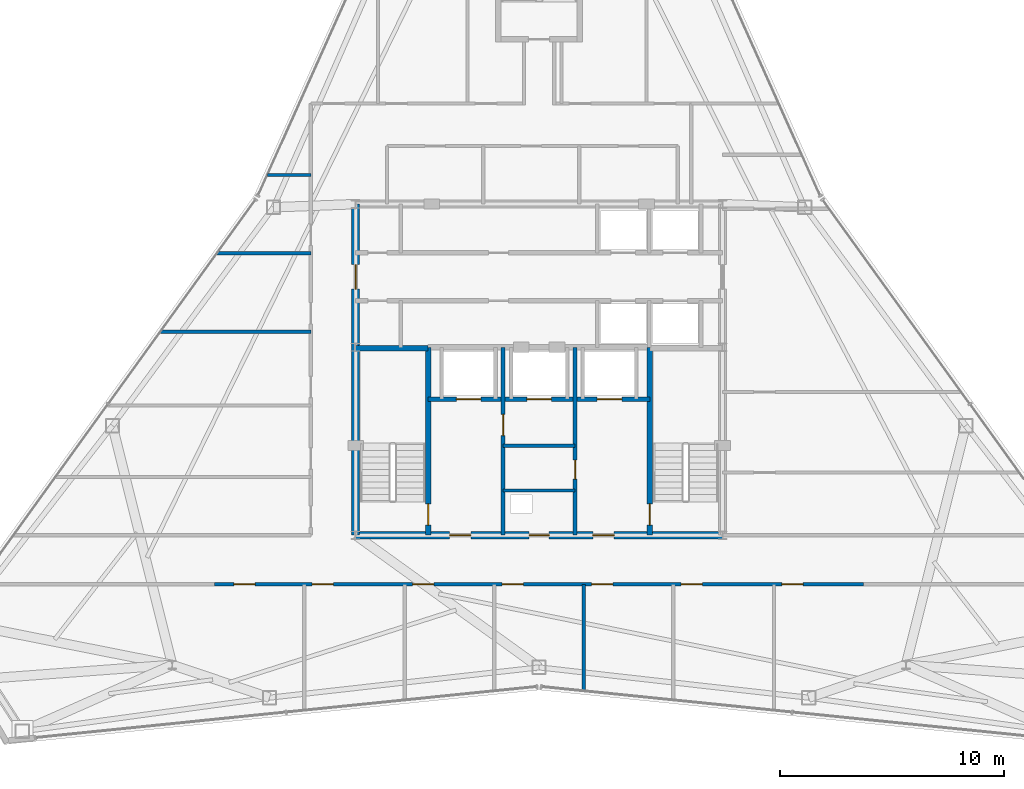
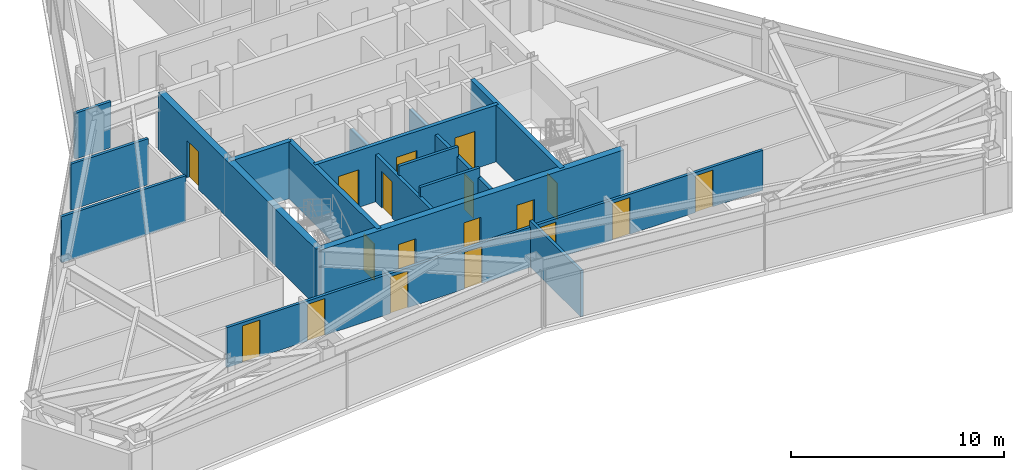
# One storey, part 9 of 12: 18 doors, 15 walls, 18 openings.
"""IFC4 building model written with IfcOpenShell, lengths in metres."""

import ifcopenshell
import ifcopenshell.guid

model = None  # the IFC model being written
_history = None  # IfcOwnerHistory: only IFC2X3 demands one
_inside = {}  # id of a spatial element -> (the spatial element, [elements in it])
_under = {}  # id of a project, library or spatial element -> (it, [spatial elements below it])
_declared = {}  # id of a project -> (the project, [libraries it declares])
_typed = {}  # id of a type object -> (the type object, [elements of that type])
_made_of = {}  # id of a material, layer set ... -> (it, [elements and type objects made of it])


def new_model(schema):
    """Start an empty IFC model of exactly this schema.

    Asked for "IFC4X3", IfcOpenShell would pick the latest addendum, in which some entities
    have other attributes; the version numbers below select the first issue.
    IFC2X3 requires an IfcOwnerHistory on every rooted entity: one is made here for all.
    """
    global model, _history
    if schema == "IFC4X3":
        model = ifcopenshell.file(schema_version=(4, 3, 0, 0))
    else:
        model = ifcopenshell.file(schema=schema)
    _inside.clear()
    _under.clear()
    _declared.clear()
    _typed.clear()
    _made_of.clear()
    _history = None
    if model.schema == "IFC2X3":
        org = make("IfcOrganization", Name="unknown")
        user = make(
            "IfcPersonAndOrganization",
            ThePerson=make("IfcPerson", FamilyName="unknown"),
            TheOrganization=org,
        )
        app = make(
            "IfcApplication",
            ApplicationDeveloper=org,
            Version="unknown",
            ApplicationFullName="unknown",
            ApplicationIdentifier="unknown",
        )
        _history = make(
            "IfcOwnerHistory",
            OwningUser=user,
            OwningApplication=app,
            ChangeAction="ADDED",
            CreationDate=0,
        )
    return model


def make(cls, **values):
    """One entity of the class cls with the attributes given. An attribute that is None is left unset."""
    return model.create_entity(
        cls, **{name: value for name, value in values.items() if value is not None}
    )


def rooted(cls, **values):
    """An entity with a GlobalId (a new one), such as an element, a storey or a relation."""
    return make(cls, GlobalId=ifcopenshell.guid.new(), OwnerHistory=_history, **values)


def si_unit(unit_type, name, prefix=None):
    """IfcSIUnit, for example si_unit("LENGTHUNIT", "METRE", prefix="MILLI")."""
    return make("IfcSIUnit", UnitType=unit_type, Prefix=prefix, Name=name)


def assignment(units):
    """IfcUnitAssignment: the units of a project."""
    return None if units is None else make("IfcUnitAssignment", Units=units)


def point(xyz):
    """IfcCartesianPoint."""
    return None if xyz is None else make("IfcCartesianPoint", Coordinates=xyz)


def direction(xyz):
    """IfcDirection."""
    return None if xyz is None else make("IfcDirection", DirectionRatios=xyz)


def frame(location, z_axis=None, x_axis=None):
    """IfcAxis2Placement3D, a coordinate frame: its origin and axes. An axis left out is left unset."""
    return make(
        "IfcAxis2Placement3D",
        Location=point(location),
        Axis=direction(z_axis),
        RefDirection=direction(x_axis),
    )


def frame_2d(location, x_axis=None):
    """IfcAxis2Placement2D, a coordinate frame in the plane: its origin and x axis."""
    return make(
        "IfcAxis2Placement2D", Location=point(location), RefDirection=direction(x_axis)
    )


def origin():
    """The frame at (0, 0, 0) with its axes left unset."""
    return frame((0.0, 0.0, 0.0))


def place(relative_to, where):
    """IfcLocalPlacement: puts the frame where relative to a parent placement (None: the world)."""
    return make(
        "IfcLocalPlacement", PlacementRelTo=relative_to, RelativePlacement=where
    )


def context(
    kind, dimensions, precision=None, world=None, true_north=None, identifier=None
):
    """IfcGeometricRepresentationContext, for example the 3D "Model" context."""
    return make(
        "IfcGeometricRepresentationContext",
        ContextIdentifier=identifier,
        ContextType=kind,
        CoordinateSpaceDimension=dimensions,
        Precision=precision,
        WorldCoordinateSystem=world,
        TrueNorth=true_north,
    )


def subcontext(parent, identifier, kind, view, scale=None):
    """IfcGeometricRepresentationSubContext, for example "Body" below "Model"."""
    return make(
        "IfcGeometricRepresentationSubContext",
        ContextIdentifier=identifier,
        ContextType=kind,
        ParentContext=parent,
        TargetScale=scale,
        TargetView=view,
    )


def project(units=None, contexts=None):
    """IfcProject with its units and contexts."""
    return rooted(
        "IfcProject",
        Name="project",
        RepresentationContexts=contexts,
        UnitsInContext=assignment(units),
    )


def spatial(cls, under=None, at=None, **own):
    """A site, building, storey or space (cls), placed at a placement, below another one or the project."""
    s = rooted(cls, ObjectPlacement=at, **own)
    if under is not None:
        _under.setdefault(under.id(), (under, []))[1].append(s)
    return s


def profile(cls, at=None, kind="AREA", **sizes):
    """A parametric profile (cls). Its sizes go by their IFC names, for example OverallWidth=200.0."""
    return make(cls, ProfileType=kind, Position=at, **sizes)


def rectangle(**sizes):
    """IfcRectangleProfileDef."""
    return profile("IfcRectangleProfileDef", **sizes)


def extrude(swept, where, along, depth):
    """IfcExtrudedAreaSolid: the profile swept, set in the frame where, extruded along a direction by depth."""
    return make(
        "IfcExtrudedAreaSolid",
        SweptArea=swept,
        Position=where,
        ExtrudedDirection=direction(along),
        Depth=depth,
    )


def shape(context_of_items, identifier, shape_type, items):
    """IfcShapeRepresentation: the items that make up one representation, for example the "Body"."""
    return make(
        "IfcShapeRepresentation",
        ContextOfItems=context_of_items,
        RepresentationIdentifier=identifier,
        RepresentationType=shape_type,
        Items=items,
    )


def material(Name=None, Category=None):
    """IfcMaterial."""
    return make("IfcMaterial", Name=Name, Category=Category)


def layer(
    of_material, thickness, ventilated=None, Name=None, Category=None, Priority=None
):
    """IfcMaterialLayer: one layer of a wall or slab, of a material (None: an air gap)."""
    return make(
        "IfcMaterialLayer",
        Material=of_material,
        LayerThickness=thickness,
        IsVentilated=ventilated,
        Name=Name,
        Category=Category,
        Priority=Priority,
    )


def layer_set(layers, Name=None):
    """IfcMaterialLayerSet."""
    return make("IfcMaterialLayerSet", MaterialLayers=layers, LayerSetName=Name)


def made_of(thing, what):
    """Note that an element or type object is made of a material, layer set ...; save() writes the relation."""
    if what is not None:
        _made_of.setdefault(what.id(), (what, []))[1].append(thing)
    return thing


def type_object(cls, material=None, **own):
    """A type object (cls), such as IfcWallType, which elements share."""
    return made_of(rooted(cls, **own), material)


def element(
    cls,
    number,
    at=None,
    inside=None,
    cuts=None,
    type_object=None,
    material=None,
    context=None,
    identifier="Body",
    shape_type=None,
    held_by="IfcProductDefinitionShape",
    body=None,
    shapes=None,
    **own,
):
    """One element of the class cls, such as IfcWall. Its Tag is "e" and its number.

    at: its placement. inside: the storey or other place that contains it. cuts: it is an
    opening in that element (IfcRelVoidsElement). A single representation is given by context,
    identifier, shape_type and body (its items); several are given by shapes. held_by: the class
    of the entity that holds the representations. save() writes the other relations.
    """
    e = rooted(cls, Tag="e%d" % number, ObjectPlacement=at, **own)
    if body is not None:
        shapes = [shape(context, identifier, shape_type, body)]
    if shapes is not None:
        e.Representation = make(held_by, Representations=shapes)
    if inside is not None:
        _inside.setdefault(inside.id(), (inside, []))[1].append(e)
    if cuts is not None:
        rooted(
            "IfcRelVoidsElement", RelatingBuildingElement=cuts, RelatedOpeningElement=e
        )
    if type_object is not None:
        _typed.setdefault(type_object.id(), (type_object, []))[1].append(e)
    return made_of(e, material)


def fill(opening, filler):
    """IfcRelFillsElement: the door or window that sits in an opening."""
    return rooted(
        "IfcRelFillsElement",
        RelatingOpeningElement=opening,
        RelatedBuildingElement=filler,
    )


def aggregate(whole, parts):
    """IfcRelAggregates: a whole, such as a stair, and the parts it consists of."""
    return rooted("IfcRelAggregates", RelatingObject=whole, RelatedObjects=parts)


def save(model, path):
    """Write the relations noted so far, then the file.

    IfcRelAggregates (storeys below a building ...), IfcRelContainedInSpatialStructure (elements
    in a storey), IfcRelDefinesByType, IfcRelAssociatesMaterial and IfcRelDeclares: one each for
    every whole, place, type object, material and project.
    """
    for whole, parts in _under.values():
        aggregate(whole, parts)
    for where, things in _inside.values():
        rooted(
            "IfcRelContainedInSpatialStructure",
            RelatedElements=things,
            RelatingStructure=where,
        )
    for kind, things in _typed.values():
        rooted("IfcRelDefinesByType", RelatedObjects=things, RelatingType=kind)
    for what, things in _made_of.values():
        rooted("IfcRelAssociatesMaterial", RelatedObjects=things, RelatingMaterial=what)
    for by, libraries in _declared.values():
        rooted("IfcRelDeclares", RelatingContext=by, RelatedDefinitions=libraries)
    model.write(path)


model = new_model("IFC4")

# Units and contexts
model_context = context("Model", 3, precision=1e-05, world=origin(), true_north=direction((0.0, 1.0)))
body_context = subcontext(model_context, "Body", "Model", "MODEL_VIEW")
ifc_project = project(units=[si_unit("LENGTHUNIT", "METRE"), si_unit("AREAUNIT", "SQUARE_METRE"), si_unit("VOLUMEUNIT", "CUBIC_METRE"), si_unit("PLANEANGLEUNIT", "RADIAN"), si_unit("MASSUNIT", "GRAM", prefix="KILO")], contexts=[model_context])

# Site, building, storey
site_placement = place(None, origin())
site = spatial("IfcSite", under=ifc_project, at=site_placement, CompositionType="ELEMENT")
building_placement = place(site_placement, origin())
building = spatial("IfcBuilding", under=site, at=building_placement, Name="Varakhsha Concourse Tower", CompositionType="ELEMENT")
storey_placement = place(building_placement, frame((0.0, 0.0, 258.5)))
storey = spatial("IfcBuildingStorey", under=building, at=storey_placement, Name="L73", CompositionType="ELEMENT", Elevation=258.5)

# Wall, openings, doors
ifc_material_1 = material(Name="Concrete fc 65 MPa", Category="concrete")
ifc_layer_1 = layer(ifc_material_1, 0.35009765625, Name="WL-CORE-350")
ifc_layer_set_1 = layer_set([ifc_layer_1], Name="Concrete fc 65 MPa")
wall_type_1 = type_object("IfcWallType", Name="WL-CORE-350", PredefinedType="SHEAR", material=ifc_layer_set_1)
wall_1_placement = place(storey_placement, frame((31.800048828125, 16.39990234375, 0.0), z_axis=(0.0, 0.0, 1.0), x_axis=(1.0, 0.0, 0.0)))
wall_1 = element("IfcWall", 1, at=wall_1_placement, inside=storey, type_object=wall_type_1, Name="L73 Wall CWALL-S-L73", PredefinedType="SHEAR", context=body_context, shape_type="SweptSolid", body=[
    extrude(rectangle(XDim=16.39990234375, YDim=0.35009765625, at=frame_2d((8.199951171875, 0.0))), origin(), (0.0, 0.0, 1.0), 3.25),
])
opening_1_placement = place(wall_1_placement, frame((7.75, 0.0, 0.0)))
opening_1 = element("IfcOpeningElement", 2, at=opening_1_placement, cuts=wall_1, Name="Opening DF-06", PredefinedType="OPENING", context=body_context, shape_type="SweptSolid", body=[
    extrude(rectangle(XDim=0.89990234375, YDim=2.10009765625, at=frame_2d((0.449951171875, 1.050048828125))), frame((0.0, 0.18505859375, 0.0), z_axis=(0.0, -1.0, 0.0), x_axis=(1.0, 0.0, 0.0)), (0.0, 0.0, 1.0), 0.3701171875),
])
opening_2_placement = place(wall_1_placement, frame((4.199951171875, 0.0, 0.0)))
opening_2 = element("IfcOpeningElement", 3, at=opening_2_placement, cuts=wall_1, Name="Opening DF-05", PredefinedType="OPENING", context=body_context, shape_type="SweptSolid", body=[
    extrude(rectangle(XDim=0.949951171875, YDim=2.10009765625, at=frame_2d((0.47509765625, 1.050048828125))), frame((0.0, 0.18505859375, 0.0), z_axis=(0.0, -1.0, 0.0), x_axis=(1.0, 0.0, 0.0)), (0.0, 0.0, 1.0), 0.3701171875),
])
opening_3_placement = place(wall_1_placement, frame((10.60009765625, 0.0, 0.0)))
opening_3 = element("IfcOpeningElement", 4, at=opening_3_placement, cuts=wall_1, Name="Opening DF-05", PredefinedType="OPENING", context=body_context, shape_type="SweptSolid", body=[
    extrude(rectangle(XDim=0.949951171875, YDim=2.10009765625, at=frame_2d((0.47509765625, 1.050048828125))), frame((0.0, 0.18505859375, 0.0), z_axis=(0.0, -1.0, 0.0), x_axis=(1.0, 0.0, 0.0)), (0.0, 0.0, 1.0), 0.3701171875),
])
ifc_material_2 = material(Name="Hollow Galvanised Steel Fire Door Assembly", Category="steel")
door_type_1 = type_object("IfcDoorType", Name="DR-FD60-900", OperationType="NOTDEFINED", PredefinedType="DOOR", material=ifc_material_2)
door_1_placement = place(opening_1_placement, origin())
door_1 = element("IfcDoor", 5, at=door_1_placement, inside=storey, type_object=door_type_1, Name="L73 Electrical Riser Door", OperationType="SINGLE_SWING_LEFT", OverallHeight=2.10009765625, OverallWidth=0.89990234375, PredefinedType="DOOR", context=body_context, shape_type="SweptSolid", body=[
    extrude(rectangle(XDim=0.89990234375, YDim=2.10009765625, at=frame_2d((0.449951171875, 1.050048828125))), frame((0.0, 0.02490234375, 0.0), z_axis=(0.0, -1.0, 0.0), x_axis=(1.0, 0.0, 0.0)), (0.0, 0.0, 1.0), 0.050048828125),
])
fill(opening_1, door_1)
door_type_2 = type_object("IfcDoorType", Name="DR-FD60-950", OperationType="NOTDEFINED", PredefinedType="DOOR", material=ifc_material_2)
door_2_placement = place(opening_2_placement, origin())
door_2 = element("IfcDoor", 6, at=door_2_placement, inside=storey, type_object=door_type_2, Name="L73 Firefighting Lobby West Door", OperationType="SINGLE_SWING_RIGHT", OverallHeight=2.10009765625, OverallWidth=0.949951171875, PredefinedType="DOOR", context=body_context, shape_type="SweptSolid", body=[
    extrude(rectangle(XDim=0.949951171875, YDim=2.10009765625, at=frame_2d((0.47509765625, 1.050048828125))), frame((0.0, 0.02490234375, 0.0), z_axis=(0.0, -1.0, 0.0), x_axis=(1.0, 0.0, 0.0)), (0.0, 0.0, 1.0), 0.050048828125),
])
fill(opening_2, door_2)
door_3_placement = place(opening_3_placement, origin())
door_3 = element("IfcDoor", 7, at=door_3_placement, inside=storey, type_object=door_type_2, Name="L73 Firefighting Lobby East Door", OperationType="SINGLE_SWING_LEFT", OverallHeight=2.10009765625, OverallWidth=0.949951171875, PredefinedType="DOOR", context=body_context, shape_type="SweptSolid", body=[
    extrude(rectangle(XDim=0.949951171875, YDim=2.10009765625, at=frame_2d((0.47509765625, 1.050048828125))), frame((0.0, 0.02490234375, 0.0), z_axis=(0.0, -1.0, 0.0), x_axis=(1.0, 0.0, 0.0)), (0.0, 0.0, 1.0), 0.050048828125),
])
fill(opening_3, door_3)

# Wall, opening, door
wall_2_placement = place(storey_placement, frame((31.800048828125, 16.39990234375, 0.0), z_axis=(0.0, 0.0, 1.0), x_axis=(0.0, 1.0, 0.0)))
wall_2 = element("IfcWall", 8, at=wall_2_placement, inside=storey, type_object=wall_type_1, Name="L73 Wall CWALL-W-L73", PredefinedType="SHEAR", context=body_context, shape_type="SweptSolid", body=[
    extrude(rectangle(XDim=14.800048828125, YDim=0.35009765625, at=frame_2d((7.39990234375, 0.0))), origin(), (0.0, 0.0, 1.0), 3.25),
])
opening_4_placement = place(wall_2_placement, frame((11.0, 0.0, 0.0)))
opening_4 = element("IfcOpeningElement", 9, at=opening_4_placement, cuts=wall_2, Name="Opening DL-01", PredefinedType="OPENING", context=body_context, shape_type="SweptSolid", body=[
    extrude(rectangle(XDim=1.10009765625, YDim=2.14990234375, at=frame_2d((0.550048828125, 1.074951171875))), frame((0.0, 0.18505859375, 0.0), z_axis=(0.0, -1.0, 0.0), x_axis=(1.0, 0.0, 0.0)), (0.0, 0.0, 1.0), 0.3701171875),
])
ifc_material_3 = material(Name="Anodised Bronze Architectural Aluminium AA 6063-T6", Category="aluminium")
door_type_3 = type_object("IfcDoorType", Name="DR-LOB-1100", OperationType="NOTDEFINED", PredefinedType="DOOR", material=ifc_material_3)
door_4_placement = place(opening_4_placement, origin())
door_4 = element("IfcDoor", 10, at=door_4_placement, inside=storey, type_object=door_type_3, Name="L73 Lift Lobby West Concourse Door", OperationType="SINGLE_SWING_LEFT", OverallHeight=2.14990234375, OverallWidth=1.10009765625, PredefinedType="DOOR", context=body_context, shape_type="SweptSolid", body=[
    extrude(rectangle(XDim=1.10009765625, YDim=2.14990234375, at=frame_2d((0.550048828125, 1.074951171875))), frame((0.0, 0.02490234375, 0.0), z_axis=(0.0, -1.0, 0.0), x_axis=(1.0, 0.0, 0.0)), (0.0, 0.0, 1.0), 0.050048828125),
])
fill(opening_4, door_4)

ifc_material_4 = material(Name="Fire-Rated Type X Gypsum Partition Assembly", Category="gypsum")
ifc_layer_2 = layer(ifc_material_4, 0.179931640625, Name="WL-FFLOB-180")
ifc_layer_set_2 = layer_set([ifc_layer_2], Name="Fire-Rated Type X Gypsum Partition Assembly")
wall_type_2 = type_object("IfcWallType", Name="WL-FFLOB-180", PredefinedType="PARTITIONING", material=ifc_layer_set_2)
wall_3_placement = place(storey_placement, frame((38.389892578125, 16.39990234375, 0.0), z_axis=(0.0, 0.0, 1.0), x_axis=(0.0, 1.0, 0.0)))
wall_3 = element("IfcWall", 11, at=wall_3_placement, inside=storey, type_object=wall_type_2, Name="L73 Wall FFW-1E-L73", PredefinedType="PARTITIONING", context=body_context, shape_type="SweptSolid", body=[
    extrude(rectangle(XDim=8.400146484375, YDim=0.179931640625, at=frame_2d((4.2001953125, 0.0))), origin(), (0.0, 0.0, 1.0), 2.705078125),
])
opening_5_placement = place(wall_3_placement, frame((4.449951171875, 0.0, 0.0)))
opening_5 = element("IfcOpeningElement", 12, at=opening_5_placement, cuts=wall_3, Name="Opening DF-05", PredefinedType="OPENING", context=body_context, shape_type="SweptSolid", body=[
    extrude(rectangle(XDim=0.949951171875, YDim=2.10009765625, at=frame_2d((0.47509765625, 1.050048828125))), frame((0.0, 0.099853515625, 0.0), z_axis=(0.0, -1.0, 0.0), x_axis=(1.0, 0.0, 0.0)), (0.0, 0.0, 1.0), 0.199951171875),
])
door_5_placement = place(opening_5_placement, origin())
door_5 = element("IfcDoor", 13, at=door_5_placement, inside=storey, type_object=door_type_2, Name="L73 Service Vestibule Door", OperationType="SINGLE_SWING_RIGHT", OverallHeight=2.10009765625, OverallWidth=0.949951171875, PredefinedType="DOOR", context=body_context, shape_type="SweptSolid", body=[
    extrude(rectangle(XDim=0.949951171875, YDim=2.10009765625, at=frame_2d((0.47509765625, 1.050048828125))), frame((0.0, 0.02490234375, 0.0), z_axis=(0.0, -1.0, 0.0), x_axis=(1.0, 0.0, 0.0)), (0.0, 0.0, 1.0), 0.050048828125),
])
fill(opening_5, door_5)

wall_4_placement = place(storey_placement, frame((41.610107421875, 16.39990234375, 0.0), z_axis=(0.0, 0.0, 1.0), x_axis=(0.0, 1.0, 0.0)))
wall_4 = element("IfcWall", 14, at=wall_4_placement, inside=storey, type_object=wall_type_2, Name="L73 Wall FFW-2W-L73", PredefinedType="PARTITIONING", context=body_context, shape_type="SweptSolid", body=[
    extrude(rectangle(XDim=8.400146484375, YDim=0.179931640625, at=frame_2d((4.2001953125, 0.0))), origin(), (0.0, 0.0, 1.0), 2.705078125),
])
opening_6_placement = place(wall_4_placement, frame((2.5, 0.0, 0.0)))
opening_6 = element("IfcOpeningElement", 15, at=opening_6_placement, cuts=wall_4, Name="Opening DF-07", PredefinedType="OPENING", context=body_context, shape_type="SweptSolid", body=[
    extrude(rectangle(XDim=0.85009765625, YDim=2.050048828125, at=frame_2d((0.425048828125, 1.02490234375))), frame((0.0, 0.099853515625, 0.0), z_axis=(0.0, -1.0, 0.0), x_axis=(1.0, 0.0, 0.0)), (0.0, 0.0, 1.0), 0.199951171875),
])
door_type_4 = type_object("IfcDoorType", Name="DR-FD60-850", OperationType="NOTDEFINED", PredefinedType="DOOR", material=ifc_material_2)
door_6_placement = place(opening_6_placement, origin())
door_6 = element("IfcDoor", 16, at=door_6_placement, inside=storey, type_object=door_type_4, Name="L73 Telecoms Node Door", OperationType="SINGLE_SWING_LEFT", OverallHeight=2.050048828125, OverallWidth=0.85009765625, PredefinedType="DOOR", context=body_context, shape_type="SweptSolid", body=[
    extrude(rectangle(XDim=0.85009765625, YDim=2.050048828125, at=frame_2d((0.425048828125, 1.02490234375))), frame((0.0, 0.02490234375, 0.0), z_axis=(0.0, -1.0, 0.0), x_axis=(1.0, 0.0, 0.0)), (0.0, 0.0, 1.0), 0.050048828125),
])
fill(opening_6, door_6)

# Walls
ifc_layer_3 = layer(ifc_material_4, 0.14990234375, Name="WL-PART-150")
ifc_layer_set_3 = layer_set([ifc_layer_3], Name="Fire-Rated Type X Gypsum Partition Assembly")
wall_type_3 = type_object("IfcWallType", Name="WL-PART-150", PredefinedType="PARTITIONING", material=ifc_layer_set_3)
for number, where, z_axis, x_axis, name in (
    (17, (38.389892578125, 18.39990234375, 0.0), (0.0, 0.0, 1.0), (1.0, 0.0, 0.0), "L73 Wall RSW-H1-L73"),
    (18, (38.389892578125, 20.39990234375, 0.0), (0.0, 0.0, 1.0), (1.0, 0.0, 0.0), "L73 Wall RSW-H2-L73"),
):
    element("IfcWall", number, at=place(storey_placement, frame(where, z_axis=z_axis, x_axis=x_axis)), inside=storey, type_object=wall_type_3, Name=name, PredefinedType="PARTITIONING", context=body_context, shape_type="SweptSolid", body=[
        extrude(rectangle(XDim=3.22021484375, YDim=0.14990234375, at=frame_2d((1.610107421875, 0.0))), origin(), (0.0, 0.0, 1.0), 3.25),
    ])

# Wall, openings, doors
wall_5_placement = place(storey_placement, frame((25.5, 14.199951171875, 0.0), z_axis=(0.0, 0.0, 1.0), x_axis=(1.0, 0.0, 0.0)))
wall_5 = element("IfcWall", 19, at=wall_5_placement, inside=storey, type_object=wall_type_3, Name="L73 Wall CRW-S-DOOR-L73", PredefinedType="PARTITIONING", context=body_context, shape_type="SweptSolid", body=[
    extrude(rectangle(XDim=29.0, YDim=0.14990234375, at=frame_2d((14.5, 0.0))), origin(), (0.0, 0.0, 1.0), 2.2919921875),
])
opening_7_placement = place(wall_5_placement, frame((0.85009765625, 0.0, 0.0)))
opening_7 = element("IfcOpeningElement", 20, at=opening_7_placement, cuts=wall_5, Name="Opening DF-05", PredefinedType="OPENING", context=body_context, shape_type="SweptSolid", body=[
    extrude(rectangle(XDim=0.949951171875, YDim=2.10009765625, at=frame_2d((0.47509765625, 1.050048828125))), frame((0.0, 0.0849609375, 0.0), z_axis=(0.0, -1.0, 0.0), x_axis=(1.0, 0.0, 0.0)), (0.0, 0.0, 1.0), 0.169921875),
])
opening_8_placement = place(wall_5_placement, frame((4.35009765625, 0.0, 0.0)))
opening_8 = element("IfcOpeningElement", 21, at=opening_8_placement, cuts=wall_5, Name="Opening DF-05", PredefinedType="OPENING", context=body_context, shape_type="SweptSolid", body=[
    extrude(rectangle(XDim=0.949951171875, YDim=2.10009765625, at=frame_2d((0.47509765625, 1.050048828125))), frame((0.0, 0.0849609375, 0.0), z_axis=(0.0, -1.0, 0.0), x_axis=(1.0, 0.0, 0.0)), (0.0, 0.0, 1.0), 0.169921875),
])
opening_9_placement = place(wall_5_placement, frame((8.85009765625, 0.0, 0.0)))
opening_9 = element("IfcOpeningElement", 22, at=opening_9_placement, cuts=wall_5, Name="Opening DF-05", PredefinedType="OPENING", context=body_context, shape_type="SweptSolid", body=[
    extrude(rectangle(XDim=0.949951171875, YDim=2.10009765625, at=frame_2d((0.47509765625, 1.050048828125))), frame((0.0, 0.0849609375, 0.0), z_axis=(0.0, -1.0, 0.0), x_axis=(1.0, 0.0, 0.0)), (0.0, 0.0, 1.0), 0.169921875),
])
opening_10_placement = place(wall_5_placement, frame((12.85009765625, 0.0, 0.0)))
opening_10 = element("IfcOpeningElement", 23, at=opening_10_placement, cuts=wall_5, Name="Opening DF-05", PredefinedType="OPENING", context=body_context, shape_type="SweptSolid", body=[
    extrude(rectangle(XDim=0.949951171875, YDim=2.10009765625, at=frame_2d((0.47509765625, 1.050048828125))), frame((0.0, 0.0849609375, 0.0), z_axis=(0.0, -1.0, 0.0), x_axis=(1.0, 0.0, 0.0)), (0.0, 0.0, 1.0), 0.169921875),
])
opening_11_placement = place(wall_5_placement, frame((16.85009765625, 0.0, 0.0)))
opening_11 = element("IfcOpeningElement", 24, at=opening_11_placement, cuts=wall_5, Name="Opening DF-05", PredefinedType="OPENING", context=body_context, shape_type="SweptSolid", body=[
    extrude(rectangle(XDim=0.949951171875, YDim=2.10009765625, at=frame_2d((0.47509765625, 1.050048828125))), frame((0.0, 0.0849609375, 0.0), z_axis=(0.0, -1.0, 0.0), x_axis=(1.0, 0.0, 0.0)), (0.0, 0.0, 1.0), 0.169921875),
])
opening_12_placement = place(wall_5_placement, frame((20.85009765625, 0.0, 0.0)))
opening_12 = element("IfcOpeningElement", 25, at=opening_12_placement, cuts=wall_5, Name="Opening DF-05", PredefinedType="OPENING", context=body_context, shape_type="SweptSolid", body=[
    extrude(rectangle(XDim=0.949951171875, YDim=2.10009765625, at=frame_2d((0.47509765625, 1.050048828125))), frame((0.0, 0.0849609375, 0.0), z_axis=(0.0, -1.0, 0.0), x_axis=(1.0, 0.0, 0.0)), (0.0, 0.0, 1.0), 0.169921875),
])
opening_13_placement = place(wall_5_placement, frame((25.35009765625, 0.0, 0.0)))
opening_13 = element("IfcOpeningElement", 26, at=opening_13_placement, cuts=wall_5, Name="Opening DF-05", PredefinedType="OPENING", context=body_context, shape_type="SweptSolid", body=[
    extrude(rectangle(XDim=0.949951171875, YDim=2.10009765625, at=frame_2d((0.47509765625, 1.050048828125))), frame((0.0, 0.0849609375, 0.0), z_axis=(0.0, -1.0, 0.0), x_axis=(1.0, 0.0, 0.0)), (0.0, 0.0, 1.0), 0.169921875),
])
door_7_placement = place(opening_7_placement, origin())
door_7 = element("IfcDoor", 27, at=door_7_placement, inside=storey, type_object=door_type_2, Name="L73 BIM Coordination Workroom L73-S1 Door", OperationType="SINGLE_SWING_LEFT", OverallHeight=2.10009765625, OverallWidth=0.949951171875, PredefinedType="DOOR", context=body_context, shape_type="SweptSolid", body=[
    extrude(rectangle(XDim=0.949951171875, YDim=2.10009765625, at=frame_2d((0.47509765625, 1.050048828125))), frame((0.0, 0.02490234375, 0.0), z_axis=(0.0, -1.0, 0.0), x_axis=(1.0, 0.0, 0.0)), (0.0, 0.0, 1.0), 0.050048828125),
])
fill(opening_7, door_7)
door_8_placement = place(opening_8_placement, origin())
door_8 = element("IfcDoor", 28, at=door_8_placement, inside=storey, type_object=door_type_2, Name="L73 Dry R&D Design Lab L73-S2 Door", OperationType="SINGLE_SWING_RIGHT", OverallHeight=2.10009765625, OverallWidth=0.949951171875, PredefinedType="DOOR", context=body_context, shape_type="SweptSolid", body=[
    extrude(rectangle(XDim=0.949951171875, YDim=2.10009765625, at=frame_2d((0.47509765625, 1.050048828125))), frame((0.0, 0.02490234375, 0.0), z_axis=(0.0, -1.0, 0.0), x_axis=(1.0, 0.0, 0.0)), (0.0, 0.0, 1.0), 0.050048828125),
])
fill(opening_8, door_8)
door_9_placement = place(opening_9_placement, origin())
door_9 = element("IfcDoor", 29, at=door_9_placement, inside=storey, type_object=door_type_2, Name="L73 Dry R&D Design Lab L73-S3 Door", OperationType="SINGLE_SWING_LEFT", OverallHeight=2.10009765625, OverallWidth=0.949951171875, PredefinedType="DOOR", context=body_context, shape_type="SweptSolid", body=[
    extrude(rectangle(XDim=0.949951171875, YDim=2.10009765625, at=frame_2d((0.47509765625, 1.050048828125))), frame((0.0, 0.02490234375, 0.0), z_axis=(0.0, -1.0, 0.0), x_axis=(1.0, 0.0, 0.0)), (0.0, 0.0, 1.0), 0.050048828125),
])
fill(opening_9, door_9)
door_10_placement = place(opening_10_placement, origin())
door_10 = element("IfcDoor", 30, at=door_10_placement, inside=storey, type_object=door_type_2, Name="L73 Dry R&D Design Lab L73-S4 Door", OperationType="SINGLE_SWING_RIGHT", OverallHeight=2.10009765625, OverallWidth=0.949951171875, PredefinedType="DOOR", context=body_context, shape_type="SweptSolid", body=[
    extrude(rectangle(XDim=0.949951171875, YDim=2.10009765625, at=frame_2d((0.47509765625, 1.050048828125))), frame((0.0, 0.02490234375, 0.0), z_axis=(0.0, -1.0, 0.0), x_axis=(1.0, 0.0, 0.0)), (0.0, 0.0, 1.0), 0.050048828125),
])
fill(opening_10, door_10)
door_11_placement = place(opening_11_placement, origin())
door_11 = element("IfcDoor", 31, at=door_11_placement, inside=storey, type_object=door_type_2, Name="L73 Dry R&D Design Lab L73-S5 Door", OperationType="SINGLE_SWING_LEFT", OverallHeight=2.10009765625, OverallWidth=0.949951171875, PredefinedType="DOOR", context=body_context, shape_type="SweptSolid", body=[
    extrude(rectangle(XDim=0.949951171875, YDim=2.10009765625, at=frame_2d((0.47509765625, 1.050048828125))), frame((0.0, 0.02490234375, 0.0), z_axis=(0.0, -1.0, 0.0), x_axis=(1.0, 0.0, 0.0)), (0.0, 0.0, 1.0), 0.050048828125),
])
fill(opening_11, door_11)
door_12_placement = place(opening_12_placement, origin())
door_12 = element("IfcDoor", 32, at=door_12_placement, inside=storey, type_object=door_type_2, Name="L73 Dry R&D Design Lab L73-S6 Door", OperationType="SINGLE_SWING_RIGHT", OverallHeight=2.10009765625, OverallWidth=0.949951171875, PredefinedType="DOOR", context=body_context, shape_type="SweptSolid", body=[
    extrude(rectangle(XDim=0.949951171875, YDim=2.10009765625, at=frame_2d((0.47509765625, 1.050048828125))), frame((0.0, 0.02490234375, 0.0), z_axis=(0.0, -1.0, 0.0), x_axis=(1.0, 0.0, 0.0)), (0.0, 0.0, 1.0), 0.050048828125),
])
fill(opening_12, door_12)
door_13_placement = place(opening_13_placement, origin())
door_13 = element("IfcDoor", 33, at=door_13_placement, inside=storey, type_object=door_type_2, Name="L73 Dry R&D Design Lab L73-S7 Door", OperationType="SINGLE_SWING_LEFT", OverallHeight=2.10009765625, OverallWidth=0.949951171875, PredefinedType="DOOR", context=body_context, shape_type="SweptSolid", body=[
    extrude(rectangle(XDim=0.949951171875, YDim=2.10009765625, at=frame_2d((0.47509765625, 1.050048828125))), frame((0.0, 0.02490234375, 0.0), z_axis=(0.0, -1.0, 0.0), x_axis=(1.0, 0.0, 0.0)), (0.0, 0.0, 1.0), 0.050048828125),
])
fill(opening_13, door_13)

# Walls
wall_6_placement = place(storey_placement, frame((42.0, 9.438720703125, 0.0), z_axis=(0.0, 0.0, 1.0), x_axis=(0.0, 1.0, 0.0)))
element("IfcWall", 34, at=wall_6_placement, inside=storey, type_object=wall_type_3, Name="L73 Wall ODIV-S4-L73", PredefinedType="PARTITIONING", context=body_context, shape_type="SweptSolid", body=[
    extrude(rectangle(XDim=4.76123046875, YDim=0.14990234375, at=frame_2d((2.380615234375, 0.0))), origin(), (0.0, 0.0, 1.0), 2.6279296875),
])
wall_7_placement = place(storey_placement, frame((23.078369140625, 25.5, 0.0), z_axis=(0.0, 0.0, 1.0), x_axis=(1.0, 0.0, 0.0)))
element("IfcWall", 35, at=wall_7_placement, inside=storey, type_object=wall_type_3, Name="L73 Wall ODIV-W3-L73", PredefinedType="PARTITIONING", context=body_context, shape_type="SweptSolid", body=[
    extrude(rectangle(XDim=6.7216796875, YDim=0.14990234375, at=frame_2d((3.36083984375, 0.0))), origin(), (0.0, 0.0, 1.0), 2.6279296875),
])
wall_8_placement = place(storey_placement, frame((25.604248046875, 29.0, 0.0), z_axis=(0.0, 0.0, 1.0), x_axis=(1.0, 0.0, 0.0)))
element("IfcWall", 36, at=wall_8_placement, inside=storey, type_object=wall_type_3, Name="L73 Wall ODIV-W4-L73", PredefinedType="PARTITIONING", context=body_context, shape_type="SweptSolid", body=[
    extrude(rectangle(XDim=4.19580078125, YDim=0.14990234375, at=frame_2d((2.097900390625, 0.0))), origin(), (0.0, 0.0, 1.0), 2.6279296875),
])
wall_9_placement = place(storey_placement, frame((27.8515625, 32.5, 0.0), z_axis=(0.0, 0.0, 1.0), x_axis=(1.0, 0.0, 0.0)))
element("IfcWall", 37, at=wall_9_placement, inside=storey, type_object=wall_type_3, Name="L73 Wall ODIV-W5-L73", PredefinedType="PARTITIONING", context=body_context, shape_type="SweptSolid", body=[
    extrude(rectangle(XDim=1.948486328125, YDim=0.14990234375, at=frame_2d((0.97412109375, 0.0))), origin(), (0.0, 0.0, 1.0), 2.6279296875),
])

# Wall, openings, doors
ifc_layer_4 = layer(ifc_material_4, 0.199951171875, Name="WL-SHAFT-220")
ifc_layer_set_4 = layer_set([ifc_layer_4], Name="Fire-Rated Type X Gypsum Partition Assembly")
wall_type_4 = type_object("IfcWallType", Name="WL-SHAFT-220", PredefinedType="SOLIDWALL", material=ifc_layer_set_4)
wall_10_placement = place(storey_placement, frame((35.044921875, 22.47998046875, 0.0), z_axis=(0.0, 0.0, 1.0), x_axis=(1.0, 0.0, 0.0)))
wall_10 = element("IfcWall", 38, at=wall_10_placement, inside=storey, type_object=wall_type_4, Name="L73 Wall FFW-NH-L73", PredefinedType="SOLIDWALL", context=body_context, shape_type="SweptSolid", body=[
    extrude(rectangle(XDim=9.91015625, YDim=0.199951171875, at=frame_2d((4.955078125, 0.0))), origin(), (0.0, 0.0, 1.0), 3.25),
])
opening_14_placement = place(wall_10_placement, frame((1.2548828125, 0.0, 0.0)))
opening_14 = element("IfcOpeningElement", 39, at=opening_14_placement, cuts=wall_10, Name="Opening LD-FFL-1", PredefinedType="OPENING", context=body_context, shape_type="SweptSolid", body=[
    extrude(rectangle(XDim=1.10009765625, YDim=2.14990234375, at=frame_2d((0.550048828125, 1.074951171875))), frame((0.0, 0.10986328125, 0.0), z_axis=(0.0, -1.0, 0.0), x_axis=(1.0, 0.0, 0.0)), (0.0, 0.0, 1.0), 0.219970703125),
])
opening_15_placement = place(wall_10_placement, frame((7.554931640625, 0.0, 0.0)))
opening_15 = element("IfcOpeningElement", 40, at=opening_15_placement, cuts=wall_10, Name="Opening LD-FFL-2", PredefinedType="OPENING", context=body_context, shape_type="SweptSolid", body=[
    extrude(rectangle(XDim=1.10009765625, YDim=2.14990234375, at=frame_2d((0.550048828125, 1.074951171875))), frame((0.0, 0.10986328125, 0.0), z_axis=(0.0, -1.0, 0.0), x_axis=(1.0, 0.0, 0.0)), (0.0, 0.0, 1.0), 0.219970703125),
])
opening_16_placement = place(wall_10_placement, frame((4.405029296875, 0.0, 0.0)))
opening_16 = element("IfcOpeningElement", 41, at=opening_16_placement, cuts=wall_10, Name="Opening LD-SVL-1", PredefinedType="OPENING", context=body_context, shape_type="SweptSolid", body=[
    extrude(rectangle(XDim=1.10009765625, YDim=2.14990234375, at=frame_2d((0.550048828125, 1.074951171875))), frame((0.0, 0.10986328125, 0.0), z_axis=(0.0, -1.0, 0.0), x_axis=(1.0, 0.0, 0.0)), (0.0, 0.0, 1.0), 0.219970703125),
])
ifc_material_5 = material(Name="Brushed Austenitic Stainless Steel AISI 316", Category="steel")
door_type_5 = type_object("IfcDoorType", Name="DR-LD-1100", OperationType="DOUBLE_DOOR_SLIDING", PredefinedType="DOOR", material=ifc_material_5)
door_14_placement = place(opening_14_placement, origin())
door_14 = element("IfcDoor", 42, at=door_14_placement, inside=storey, type_object=door_type_5, Name="Lift Landing Door FFL-1 L73", OperationType="DOUBLE_DOOR_SLIDING", OverallHeight=2.14990234375, OverallWidth=1.10009765625, PredefinedType="DOOR", context=body_context, shape_type="SweptSolid", body=[
    extrude(rectangle(XDim=1.10009765625, YDim=2.14990234375, at=frame_2d((0.550048828125, 1.074951171875))), frame((0.0, 0.02490234375, 0.0), z_axis=(0.0, -1.0, 0.0), x_axis=(1.0, 0.0, 0.0)), (0.0, 0.0, 1.0), 0.050048828125),
])
fill(opening_14, door_14)
door_15_placement = place(opening_15_placement, origin())
door_15 = element("IfcDoor", 43, at=door_15_placement, inside=storey, type_object=door_type_5, Name="Lift Landing Door FFL-2 L73", OperationType="DOUBLE_DOOR_SLIDING", OverallHeight=2.14990234375, OverallWidth=1.10009765625, PredefinedType="DOOR", context=body_context, shape_type="SweptSolid", body=[
    extrude(rectangle(XDim=1.10009765625, YDim=2.14990234375, at=frame_2d((0.550048828125, 1.074951171875))), frame((0.0, 0.02490234375, 0.0), z_axis=(0.0, -1.0, 0.0), x_axis=(1.0, 0.0, 0.0)), (0.0, 0.0, 1.0), 0.050048828125),
])
fill(opening_15, door_15)
door_16_placement = place(opening_16_placement, origin())
door_16 = element("IfcDoor", 44, at=door_16_placement, inside=storey, type_object=door_type_5, Name="Lift Landing Door SVL-1 L73", OperationType="DOUBLE_DOOR_SLIDING", OverallHeight=2.14990234375, OverallWidth=1.10009765625, PredefinedType="DOOR", context=body_context, shape_type="SweptSolid", body=[
    extrude(rectangle(XDim=1.10009765625, YDim=2.14990234375, at=frame_2d((0.550048828125, 1.074951171875))), frame((0.0, 0.02490234375, 0.0), z_axis=(0.0, -1.0, 0.0), x_axis=(1.0, 0.0, 0.0)), (0.0, 0.0, 1.0), 0.050048828125),
])
fill(opening_16, door_16)

# Wall, opening, door
ifc_material_6 = material(Name="Concrete fc 45 MPa", Category="concrete")
ifc_layer_5 = layer(ifc_material_6, 0.25, Name="WL-STAIR-250")
ifc_layer_set_5 = layer_set([ifc_layer_5], Name="Concrete fc 45 MPa")
wall_type_5 = type_object("IfcWallType", Name="WL-STAIR-250", PredefinedType="SHEAR", material=ifc_layer_set_5)
wall_11_placement = place(storey_placement, frame((35.044921875, 16.39990234375, 0.0), z_axis=(0.0, 0.0, 1.0), x_axis=(0.0, 1.0, 0.0)))
wall_11 = element("IfcWall", 45, at=wall_11_placement, inside=storey, type_object=wall_type_5, Name="L73 Wall SWALL-ST1-E-L73", PredefinedType="SHEAR", context=body_context, shape_type="SweptSolid", body=[
    extrude(rectangle(XDim=8.400146484375, YDim=0.25, at=frame_2d((4.2001953125, 0.0))), origin(), (0.0, 0.0, 1.0), 3.25),
])
opening_17_placement = place(wall_11_placement, frame((0.449951171875, 0.0, 0.0)))
opening_17 = element("IfcOpeningElement", 46, at=opening_17_placement, cuts=wall_11, Name="Opening DF-03", PredefinedType="OPENING", context=body_context, shape_type="SweptSolid", body=[
    extrude(rectangle(XDim=0.949951171875, YDim=2.10009765625, at=frame_2d((0.47509765625, 1.050048828125))), frame((0.0, 0.135009765625, 0.0), z_axis=(0.0, -1.0, 0.0), x_axis=(1.0, 0.0, 0.0)), (0.0, 0.0, 1.0), 0.27001953125),
])
door_type_6 = type_object("IfcDoorType", Name="DR-FD90-950", OperationType="NOTDEFINED", PredefinedType="DOOR", material=ifc_material_2)
door_17_placement = place(opening_17_placement, origin())
door_17 = element("IfcDoor", 47, at=door_17_placement, inside=storey, type_object=door_type_6, Name="L73 Stair ST1 Fire Door", OperationType="SINGLE_SWING_LEFT", OverallHeight=2.10009765625, OverallWidth=0.949951171875, PredefinedType="DOOR", context=body_context, shape_type="SweptSolid", body=[
    extrude(rectangle(XDim=0.949951171875, YDim=2.10009765625, at=frame_2d((0.47509765625, 1.050048828125))), frame((0.0, 0.02490234375, 0.0), z_axis=(0.0, -1.0, 0.0), x_axis=(1.0, 0.0, 0.0)), (0.0, 0.0, 1.0), 0.050048828125),
])
fill(opening_17, door_17)

# Wall
wall_12_placement = place(storey_placement, frame((31.800048828125, 24.7548828125, 0.0), z_axis=(0.0, 0.0, 1.0), x_axis=(1.0, 0.0, 0.0)))
element("IfcWall", 48, at=wall_12_placement, inside=storey, type_object=wall_type_5, Name="L73 Wall SWALL-ST1-N-L73", PredefinedType="SHEAR", context=body_context, shape_type="SweptSolid", body=[
    extrude(rectangle(XDim=3.244873046875, YDim=0.25, at=frame_2d((1.62255859375, 0.0))), origin(), (0.0, 0.0, 1.0), 3.25),
])

# Wall, opening, door
wall_13_placement = place(storey_placement, frame((44.955078125, 16.39990234375, 0.0), z_axis=(0.0, 0.0, 1.0), x_axis=(0.0, 1.0, 0.0)))
wall_13 = element("IfcWall", 49, at=wall_13_placement, inside=storey, type_object=wall_type_5, Name="L73 Wall SWALL-ST2-W-L73", PredefinedType="SHEAR", context=body_context, shape_type="SweptSolid", body=[
    extrude(rectangle(XDim=8.400146484375, YDim=0.25, at=frame_2d((4.2001953125, 0.0))), origin(), (0.0, 0.0, 1.0), 3.25),
])
opening_18_placement = place(wall_13_placement, frame((0.449951171875, 0.0, 0.0)))
opening_18 = element("IfcOpeningElement", 50, at=opening_18_placement, cuts=wall_13, Name="Opening DF-03", PredefinedType="OPENING", context=body_context, shape_type="SweptSolid", body=[
    extrude(rectangle(XDim=0.949951171875, YDim=2.10009765625, at=frame_2d((0.47509765625, 1.050048828125))), frame((0.0, 0.135009765625, 0.0), z_axis=(0.0, -1.0, 0.0), x_axis=(1.0, 0.0, 0.0)), (0.0, 0.0, 1.0), 0.27001953125),
])
door_18_placement = place(opening_18_placement, origin())
door_18 = element("IfcDoor", 51, at=door_18_placement, inside=storey, type_object=door_type_6, Name="L73 Stair ST2 Fire Door", OperationType="SINGLE_SWING_RIGHT", OverallHeight=2.10009765625, OverallWidth=0.949951171875, PredefinedType="DOOR", context=body_context, shape_type="SweptSolid", body=[
    extrude(rectangle(XDim=0.949951171875, YDim=2.10009765625, at=frame_2d((0.47509765625, 1.050048828125))), frame((0.0, 0.02490234375, 0.0), z_axis=(0.0, -1.0, 0.0), x_axis=(1.0, 0.0, 0.0)), (0.0, 0.0, 1.0), 0.050048828125),
])
fill(opening_18, door_18)

save(model, "model.ifc")
